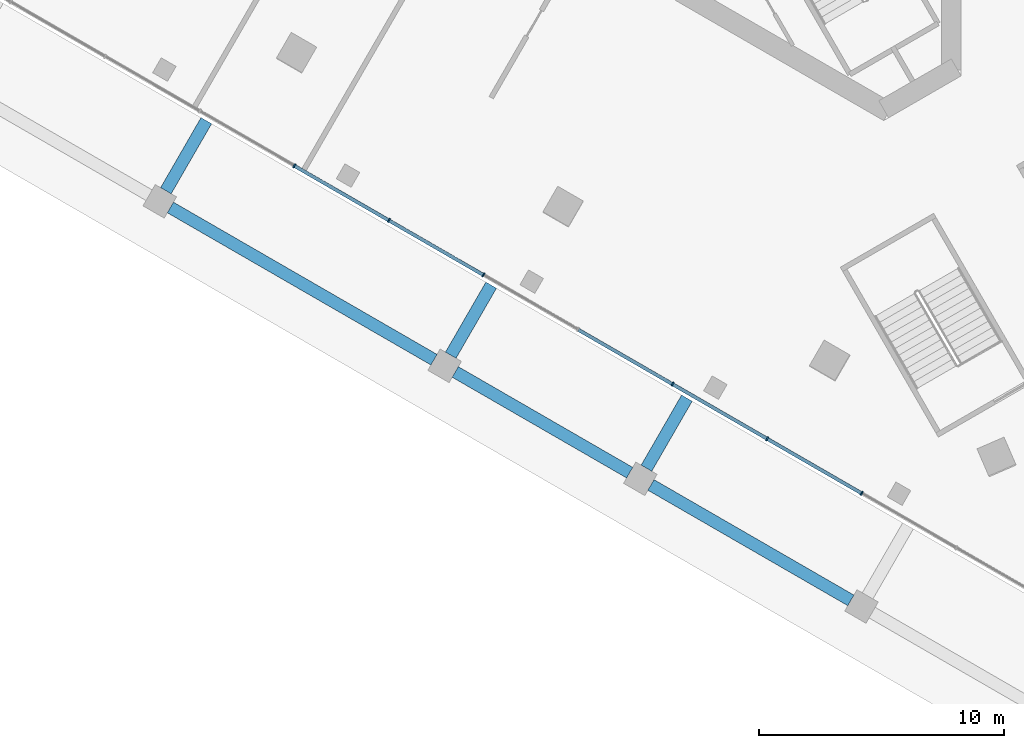
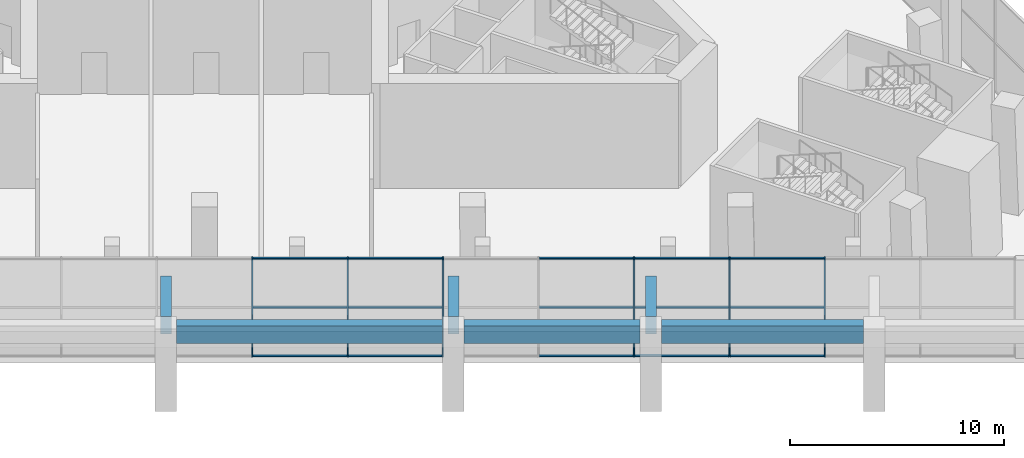
# One storey, part 4 of 51: 21 members, 6 beams, 1 element without a shape of its own.
"""IFC4 building model written with IfcOpenShell, lengths in metres."""

import ifcopenshell
import ifcopenshell.guid

model = None  # the IFC model being written
_history = None  # IfcOwnerHistory: only IFC2X3 demands one
_inside = {}  # id of a spatial element -> (the spatial element, [elements in it])
_under = {}  # id of a project, library or spatial element -> (it, [spatial elements below it])
_declared = {}  # id of a project -> (the project, [libraries it declares])
_typed = {}  # id of a type object -> (the type object, [elements of that type])
_made_of = {}  # id of a material, layer set ... -> (it, [elements and type objects made of it])


def new_model(schema):
    """Start an empty IFC model of exactly this schema.

    Asked for "IFC4X3", IfcOpenShell would pick the latest addendum, in which some entities
    have other attributes; the version numbers below select the first issue.
    IFC2X3 requires an IfcOwnerHistory on every rooted entity: one is made here for all.
    """
    global model, _history
    if schema == "IFC4X3":
        model = ifcopenshell.file(schema_version=(4, 3, 0, 0))
    else:
        model = ifcopenshell.file(schema=schema)
    _inside.clear()
    _under.clear()
    _declared.clear()
    _typed.clear()
    _made_of.clear()
    _history = None
    if model.schema == "IFC2X3":
        org = make("IfcOrganization", Name="unknown")
        user = make(
            "IfcPersonAndOrganization",
            ThePerson=make("IfcPerson", FamilyName="unknown"),
            TheOrganization=org,
        )
        app = make(
            "IfcApplication",
            ApplicationDeveloper=org,
            Version="unknown",
            ApplicationFullName="unknown",
            ApplicationIdentifier="unknown",
        )
        _history = make(
            "IfcOwnerHistory",
            OwningUser=user,
            OwningApplication=app,
            ChangeAction="ADDED",
            CreationDate=0,
        )
    return model


def make(cls, **values):
    """One entity of the class cls with the attributes given. An attribute that is None is left unset."""
    return model.create_entity(
        cls, **{name: value for name, value in values.items() if value is not None}
    )


def rooted(cls, **values):
    """An entity with a GlobalId (a new one), such as an element, a storey or a relation."""
    return make(cls, GlobalId=ifcopenshell.guid.new(), OwnerHistory=_history, **values)


def si_unit(unit_type, name, prefix=None):
    """IfcSIUnit, for example si_unit("LENGTHUNIT", "METRE", prefix="MILLI")."""
    return make("IfcSIUnit", UnitType=unit_type, Prefix=prefix, Name=name)


def assignment(units):
    """IfcUnitAssignment: the units of a project."""
    return None if units is None else make("IfcUnitAssignment", Units=units)


def point(xyz):
    """IfcCartesianPoint."""
    return None if xyz is None else make("IfcCartesianPoint", Coordinates=xyz)


def direction(xyz):
    """IfcDirection."""
    return None if xyz is None else make("IfcDirection", DirectionRatios=xyz)


def frame(location, z_axis=None, x_axis=None):
    """IfcAxis2Placement3D, a coordinate frame: its origin and axes. An axis left out is left unset."""
    return make(
        "IfcAxis2Placement3D",
        Location=point(location),
        Axis=direction(z_axis),
        RefDirection=direction(x_axis),
    )


def frame_2d(location, x_axis=None):
    """IfcAxis2Placement2D, a coordinate frame in the plane: its origin and x axis."""
    return make(
        "IfcAxis2Placement2D", Location=point(location), RefDirection=direction(x_axis)
    )


def origin():
    """The frame at (0, 0, 0) with its axes left unset."""
    return frame((0.0, 0.0, 0.0))


def origin_2d():
    """The frame at (0, 0) in the plane with its x axis left unset."""
    return frame_2d((0.0, 0.0))


def place(relative_to, where):
    """IfcLocalPlacement: puts the frame where relative to a parent placement (None: the world)."""
    return make(
        "IfcLocalPlacement", PlacementRelTo=relative_to, RelativePlacement=where
    )


def context(
    kind, dimensions, precision=None, world=None, true_north=None, identifier=None
):
    """IfcGeometricRepresentationContext, for example the 3D "Model" context."""
    return make(
        "IfcGeometricRepresentationContext",
        ContextIdentifier=identifier,
        ContextType=kind,
        CoordinateSpaceDimension=dimensions,
        Precision=precision,
        WorldCoordinateSystem=world,
        TrueNorth=true_north,
    )


def subcontext(parent, identifier, kind, view, scale=None):
    """IfcGeometricRepresentationSubContext, for example "Body" below "Model"."""
    return make(
        "IfcGeometricRepresentationSubContext",
        ContextIdentifier=identifier,
        ContextType=kind,
        ParentContext=parent,
        TargetScale=scale,
        TargetView=view,
    )


def project(units=None, contexts=None):
    """IfcProject with its units and contexts."""
    return rooted(
        "IfcProject",
        Name="project",
        RepresentationContexts=contexts,
        UnitsInContext=assignment(units),
    )


def spatial(cls, under=None, at=None, **own):
    """A site, building, storey or space (cls), placed at a placement, below another one or the project."""
    s = rooted(cls, ObjectPlacement=at, **own)
    if under is not None:
        _under.setdefault(under.id(), (under, []))[1].append(s)
    return s


def profile(cls, at=None, kind="AREA", **sizes):
    """A parametric profile (cls). Its sizes go by their IFC names, for example OverallWidth=200.0."""
    return make(cls, ProfileType=kind, Position=at, **sizes)


def rectangle(**sizes):
    """IfcRectangleProfileDef."""
    return profile("IfcRectangleProfileDef", **sizes)


def extrude(swept, where, along, depth):
    """IfcExtrudedAreaSolid: the profile swept, set in the frame where, extruded along a direction by depth."""
    return make(
        "IfcExtrudedAreaSolid",
        SweptArea=swept,
        Position=where,
        ExtrudedDirection=direction(along),
        Depth=depth,
    )


def shape(context_of_items, identifier, shape_type, items):
    """IfcShapeRepresentation: the items that make up one representation, for example the "Body"."""
    return make(
        "IfcShapeRepresentation",
        ContextOfItems=context_of_items,
        RepresentationIdentifier=identifier,
        RepresentationType=shape_type,
        Items=items,
    )


def material(Name=None, Category=None):
    """IfcMaterial."""
    return make("IfcMaterial", Name=Name, Category=Category)


def layer(
    of_material, thickness, ventilated=None, Name=None, Category=None, Priority=None
):
    """IfcMaterialLayer: one layer of a wall or slab, of a material (None: an air gap)."""
    return make(
        "IfcMaterialLayer",
        Material=of_material,
        LayerThickness=thickness,
        IsVentilated=ventilated,
        Name=Name,
        Category=Category,
        Priority=Priority,
    )


def layer_set(layers, Name=None):
    """IfcMaterialLayerSet."""
    return make("IfcMaterialLayerSet", MaterialLayers=layers, LayerSetName=Name)


def material_profile(
    of_material, cross_section, Name=None, Category=None, Priority=None
):
    """IfcMaterialProfile: a cross section and its material."""
    return make(
        "IfcMaterialProfile",
        Name=Name,
        Material=of_material,
        Profile=cross_section,
        Priority=Priority,
        Category=Category,
    )


def profile_set(profiles, Name=None, composite=None):
    """IfcMaterialProfileSet."""
    return make(
        "IfcMaterialProfileSet",
        Name=Name,
        MaterialProfiles=profiles,
        CompositeProfile=composite,
    )


def made_of(thing, what):
    """Note that an element or type object is made of a material, layer set ...; save() writes the relation."""
    if what is not None:
        _made_of.setdefault(what.id(), (what, []))[1].append(thing)
    return thing


def type_object(cls, material=None, **own):
    """A type object (cls), such as IfcWallType, which elements share."""
    return made_of(rooted(cls, **own), material)


def element(
    cls,
    number,
    at=None,
    inside=None,
    cuts=None,
    type_object=None,
    material=None,
    context=None,
    identifier="Body",
    shape_type=None,
    held_by="IfcProductDefinitionShape",
    body=None,
    shapes=None,
    **own,
):
    """One element of the class cls, such as IfcWall. Its Tag is "e" and its number.

    at: its placement. inside: the storey or other place that contains it. cuts: it is an
    opening in that element (IfcRelVoidsElement). A single representation is given by context,
    identifier, shape_type and body (its items); several are given by shapes. held_by: the class
    of the entity that holds the representations. save() writes the other relations.
    """
    e = rooted(cls, Tag="e%d" % number, ObjectPlacement=at, **own)
    if body is not None:
        shapes = [shape(context, identifier, shape_type, body)]
    if shapes is not None:
        e.Representation = make(held_by, Representations=shapes)
    if inside is not None:
        _inside.setdefault(inside.id(), (inside, []))[1].append(e)
    if cuts is not None:
        rooted(
            "IfcRelVoidsElement", RelatingBuildingElement=cuts, RelatedOpeningElement=e
        )
    if type_object is not None:
        _typed.setdefault(type_object.id(), (type_object, []))[1].append(e)
    return made_of(e, material)


def aggregate(whole, parts):
    """IfcRelAggregates: a whole, such as a stair, and the parts it consists of."""
    return rooted("IfcRelAggregates", RelatingObject=whole, RelatedObjects=parts)


def save(model, path):
    """Write the relations noted so far, then the file.

    IfcRelAggregates (storeys below a building ...), IfcRelContainedInSpatialStructure (elements
    in a storey), IfcRelDefinesByType, IfcRelAssociatesMaterial and IfcRelDeclares: one each for
    every whole, place, type object, material and project.
    """
    for whole, parts in _under.values():
        aggregate(whole, parts)
    for where, things in _inside.values():
        rooted(
            "IfcRelContainedInSpatialStructure",
            RelatedElements=things,
            RelatingStructure=where,
        )
    for kind, things in _typed.values():
        rooted("IfcRelDefinesByType", RelatedObjects=things, RelatingType=kind)
    for what, things in _made_of.values():
        rooted("IfcRelAssociatesMaterial", RelatedObjects=things, RelatingMaterial=what)
    for by, libraries in _declared.values():
        rooted("IfcRelDeclares", RelatingContext=by, RelatedDefinitions=libraries)
    model.write(path)


model = new_model("IFC4")

# Units and contexts
model_context = context("Model", 3, precision=1e-05, world=origin(), true_north=direction((0.0, 1.0)))
body_context = subcontext(model_context, "Body", "Model", "MODEL_VIEW")
ifc_project = project(units=[si_unit("LENGTHUNIT", "METRE"), si_unit("AREAUNIT", "SQUARE_METRE"), si_unit("VOLUMEUNIT", "CUBIC_METRE"), si_unit("PLANEANGLEUNIT", "RADIAN"), si_unit("MASSUNIT", "GRAM", prefix="KILO")], contexts=[model_context])

# Site, building, storey
site_placement = place(None, origin())
site = spatial("IfcSite", under=ifc_project, at=site_placement, CompositionType="ELEMENT")
building_placement = place(site_placement, origin())
building = spatial("IfcBuilding", under=site, at=building_placement, Name="Jabali Bay Hotel Tower and Convention Centre", CompositionType="ELEMENT")
storey_placement = place(building_placement, frame((0.0, 0.0, 9.0)))
storey = spatial("IfcBuildingStorey", under=building, at=storey_placement, Name="L01", CompositionType="ELEMENT", Elevation=9.0)

# Beams
ifc_material_1 = material(Name="Concrete C40", Category="concrete")
ifc_material_profile_1 = material_profile(ifc_material_1, rectangle(XDim=0.5, YDim=1.0, at=origin_2d()), Name="RC 500x1000")
ifc_profile_set_1 = profile_set([ifc_material_profile_1], Name="Concrete C40")
beam_type = type_object("IfcBeamType", Name="Arcade Edge Beam 500x1000", PredefinedType="BEAM", material=ifc_profile_set_1)
beam_1_placement = place(storey_placement, frame((57.624267578125, 52.504150390625, 4.199951171875), z_axis=(0.866027781969, -0.499995880841, 0.0), x_axis=(0.499995880841, 0.866027781969, 0.0)))
element("IfcBeam", 1, at=beam_1_placement, inside=storey, type_object=beam_type, Name="Arcade edge beam 17", PredefinedType="BEAM", context=body_context, shape_type="SweptSolid", body=[
    extrude(rectangle(XDim=0.5, YDim=1.0, at=origin_2d()), origin(), (0.0, 0.0, 1.0), 12.41796875),
])
beam_2_placement = place(storey_placement, frame((69.24462890625, 45.795166015625, 4.199951171875), z_axis=(0.866024310987, -0.500001892776, 0.0), x_axis=(0.500001892776, 0.866024310987, 0.0)))
element("IfcBeam", 2, at=beam_2_placement, inside=storey, type_object=beam_type, Name="Arcade edge beam 18", PredefinedType="BEAM", context=body_context, shape_type="SweptSolid", body=[
    extrude(rectangle(XDim=0.5, YDim=1.0, at=origin_2d()), origin(), (0.0, 0.0, 1.0), 8.21826171875),
])
beam_3_placement = place(storey_placement, frame((77.227783203125, 41.18603515625, 4.199951171875), z_axis=(0.866021981908, -0.500005926817, 0.0), x_axis=(0.500005926817, 0.866021981908, 0.0)))
element("IfcBeam", 3, at=beam_3_placement, inside=storey, type_object=beam_type, Name="Arcade edge beam 19", PredefinedType="BEAM", context=body_context, shape_type="SweptSolid", body=[
    extrude(rectangle(XDim=0.5, YDim=1.0, at=origin_2d()), origin(), (0.0, 0.0, 1.0), 9.41845703125),
])
for number, where, z_axis, x_axis, name in (
    (4, (57.441162109375, 53.187255859375, 4.199951171875), (0.499974350878, 0.866040211805, 0.0), (-0.866040211805, 0.499974350878, 0.0), "Arcade cross beam 13"),
    (5, (69.061767578125, 46.47802734375, 4.199951171875), (0.499974350878, 0.866040211805, 0.0), (-0.866040211805, 0.499974350878, 0.0), "Arcade cross beam 14"),
    (6, (77.044921875, 41.868896484375, 4.199951171875), (0.499974350878, 0.866040211805, 0.0), (-0.866040211805, 0.499974350878, 0.0), "Arcade cross beam 15"),
):
    element("IfcBeam", number, at=place(storey_placement, frame(where, z_axis=z_axis, x_axis=x_axis)), inside=storey, type_object=beam_type, Name=name, PredefinedType="BEAM", context=body_context, shape_type="SweptSolid", body=[
        extrude(rectangle(XDim=0.5, YDim=1.0, at=origin_2d()), origin(), (0.0, 0.0, 1.0), 3.300048828125),
    ])

# Curtain wall, members
ifc_material_2 = material(Name="Aluminium and glass", Category="aluminium")
ifc_layer = layer(ifc_material_2, 0.179931640625)
ifc_layer_set = layer_set([ifc_layer], Name="Aluminium and glass")
curtain_wall_type = type_object("IfcCurtainWallType", Name="CW1 curtain wall", PredefinedType="NOTDEFINED", material=ifc_layer_set)
curtain_wall_placement = place(storey_placement, origin())
curtain_wall = element("IfcCurtainWall", 7, at=curtain_wall_placement, inside=storey, type_object=curtain_wall_type, Name="CW1 curtain wall south-west face L01", PredefinedType="NOTDEFINED")
ifc_material_3 = material(Name="Aluminium", Category="aluminium")
ifc_material_profile_2 = material_profile(ifc_material_3, rectangle(XDim=0.179931640625, YDim=0.06005859375, at=origin_2d()), Name="CW1 mullion 60 x 180")
ifc_profile_set_2 = profile_set([ifc_material_profile_2], Name="Aluminium")
member_type_1 = type_object("IfcMemberType", Name="CW1 mullion 60 x 180", PredefinedType="MULLION", material=ifc_profile_set_2)
member_1_placement = place(storey_placement, frame((85.8251953125, 40.841064453125, 0.0), z_axis=(0.0, 0.0, 1.0), x_axis=(-0.499999999441, -0.866025404107, 0.0)))
member_1 = element("IfcMember", 8, at=member_1_placement, type_object=member_type_1, Name="CW1 mullion 3", PredefinedType="MULLION", context=body_context, shape_type="SweptSolid", body=[
    extrude(rectangle(XDim=0.179931640625, YDim=0.06005859375, at=origin_2d()), origin(), (0.0, 0.0, 1.0), 5.60009765625),
])
member_2_placement = place(storey_placement, frame((81.967529296875, 43.068359375, 0.0), z_axis=(0.0, 0.0, 1.0), x_axis=(-0.499999999441, -0.866025404107, 0.0)))
member_2 = element("IfcMember", 9, at=member_2_placement, type_object=member_type_1, Name="CW1 mullion 4", PredefinedType="MULLION", context=body_context, shape_type="SweptSolid", body=[
    extrude(rectangle(XDim=0.179931640625, YDim=0.06005859375, at=origin_2d()), origin(), (0.0, 0.0, 1.0), 5.60009765625),
])
member_3_placement = place(storey_placement, frame((78.10986328125, 45.295654296875, 0.0), z_axis=(0.0, 0.0, 1.0), x_axis=(-0.499999999441, -0.866025404107, 0.0)))
member_3 = element("IfcMember", 10, at=member_3_placement, type_object=member_type_1, Name="CW1 mullion 5", PredefinedType="MULLION", context=body_context, shape_type="SweptSolid", body=[
    extrude(rectangle(XDim=0.179931640625, YDim=0.06005859375, at=origin_2d()), origin(), (0.0, 0.0, 1.0), 5.60009765625),
])
member_4_placement = place(storey_placement, frame((70.394287109375, 49.75, 0.0), z_axis=(0.0, 0.0, 1.0), x_axis=(-0.499999999441, -0.866025404107, 0.0)))
member_4 = element("IfcMember", 11, at=member_4_placement, type_object=member_type_1, Name="CW1 mullion 7", PredefinedType="MULLION", context=body_context, shape_type="SweptSolid", body=[
    extrude(rectangle(XDim=0.179931640625, YDim=0.06005859375, at=origin_2d()), origin(), (0.0, 0.0, 1.0), 5.60009765625),
])
member_5_placement = place(storey_placement, frame((66.53662109375, 51.977294921875, 0.0), z_axis=(0.0, 0.0, 1.0), x_axis=(-0.499999999441, -0.866025404107, 0.0)))
member_5 = element("IfcMember", 12, at=member_5_placement, type_object=member_type_1, Name="CW1 mullion 8", PredefinedType="MULLION", context=body_context, shape_type="SweptSolid", body=[
    extrude(rectangle(XDim=0.179931640625, YDim=0.06005859375, at=origin_2d()), origin(), (0.0, 0.0, 1.0), 5.60009765625),
])
member_6_placement = place(storey_placement, frame((62.678955078125, 54.20458984375, 0.0), z_axis=(0.0, 0.0, 1.0), x_axis=(-0.499999999441, -0.866025404107, 0.0)))
member_6 = element("IfcMember", 13, at=member_6_placement, type_object=member_type_1, Name="CW1 mullion 9", PredefinedType="MULLION", context=body_context, shape_type="SweptSolid", body=[
    extrude(rectangle(XDim=0.179931640625, YDim=0.06005859375, at=origin_2d()), origin(), (0.0, 0.0, 1.0), 5.60009765625),
])
ifc_material_profile_3 = material_profile(ifc_material_3, rectangle(XDim=0.139892578125, YDim=0.06005859375, at=origin_2d()), Name="CW1 transom 60 x 140")
ifc_profile_set_3 = profile_set([ifc_material_profile_3], Name="Aluminium")
member_type_2 = type_object("IfcMemberType", Name="CW1 transom 60 x 140", PredefinedType="USERDEFINED", material=ifc_profile_set_3)
member_7_placement = place(storey_placement, frame((85.79931640625, 40.85595703125, 0.030029296875), z_axis=(-0.866032941432, 0.499986944184, 0.0), x_axis=(-0.499986944184, -0.866032941432, 0.0)))
member_7 = element("IfcMember", 14, at=member_7_placement, type_object=member_type_2, Name="CW1 transom 3.1", ObjectType="TRANSOM", PredefinedType="USERDEFINED", context=body_context, shape_type="SweptSolid", body=[
    extrude(rectangle(XDim=0.139892578125, YDim=0.06005859375, at=origin_2d()), origin(), (0.0, 0.0, 1.0), 4.39453125),
])
member_8_placement = place(storey_placement, frame((85.79931640625, 40.85595703125, 2.800048828125), z_axis=(-0.866032941432, 0.499986944184, 0.0), x_axis=(-0.499986944184, -0.866032941432, 0.0)))
member_8 = element("IfcMember", 15, at=member_8_placement, type_object=member_type_2, Name="CW1 transom 3.2", ObjectType="TRANSOM", PredefinedType="USERDEFINED", context=body_context, shape_type="SweptSolid", body=[
    extrude(rectangle(XDim=0.139892578125, YDim=0.06005859375, at=origin_2d()), origin(), (0.0, 0.0, 1.0), 4.39453125),
])
member_9_placement = place(storey_placement, frame((85.79931640625, 40.85595703125, 5.570068359375), z_axis=(-0.866032941432, 0.499986944184, 0.0), x_axis=(-0.499986944184, -0.866032941432, 0.0)))
member_9 = element("IfcMember", 16, at=member_9_placement, type_object=member_type_2, Name="CW1 transom 3.3", ObjectType="TRANSOM", PredefinedType="USERDEFINED", context=body_context, shape_type="SweptSolid", body=[
    extrude(rectangle(XDim=0.139892578125, YDim=0.06005859375, at=origin_2d()), origin(), (0.0, 0.0, 1.0), 4.39453125),
])
member_10_placement = place(storey_placement, frame((81.941650390625, 43.083251953125, 0.030029296875), z_axis=(-0.866032941432, 0.499986944184, 0.0), x_axis=(-0.499986944184, -0.866032941432, 0.0)))
member_10 = element("IfcMember", 17, at=member_10_placement, type_object=member_type_2, Name="CW1 transom 4.1", ObjectType="TRANSOM", PredefinedType="USERDEFINED", context=body_context, shape_type="SweptSolid", body=[
    extrude(rectangle(XDim=0.139892578125, YDim=0.06005859375, at=origin_2d()), origin(), (0.0, 0.0, 1.0), 4.39453125),
])
member_11_placement = place(storey_placement, frame((81.941650390625, 43.083251953125, 2.800048828125), z_axis=(-0.866032941432, 0.499986944184, 0.0), x_axis=(-0.499986944184, -0.866032941432, 0.0)))
member_11 = element("IfcMember", 18, at=member_11_placement, type_object=member_type_2, Name="CW1 transom 4.2", ObjectType="TRANSOM", PredefinedType="USERDEFINED", context=body_context, shape_type="SweptSolid", body=[
    extrude(rectangle(XDim=0.139892578125, YDim=0.06005859375, at=origin_2d()), origin(), (0.0, 0.0, 1.0), 4.39453125),
])
member_12_placement = place(storey_placement, frame((81.941650390625, 43.083251953125, 5.570068359375), z_axis=(-0.866032941432, 0.499986944184, 0.0), x_axis=(-0.499986944184, -0.866032941432, 0.0)))
member_12 = element("IfcMember", 19, at=member_12_placement, type_object=member_type_2, Name="CW1 transom 4.3", ObjectType="TRANSOM", PredefinedType="USERDEFINED", context=body_context, shape_type="SweptSolid", body=[
    extrude(rectangle(XDim=0.139892578125, YDim=0.06005859375, at=origin_2d()), origin(), (0.0, 0.0, 1.0), 4.39453125),
])
member_13_placement = place(storey_placement, frame((78.083740234375, 45.310546875, 0.030029296875), z_axis=(-0.866019052629, 0.500011000363, 0.0), x_axis=(-0.500011000363, -0.866019052629, 0.0)))
member_13 = element("IfcMember", 20, at=member_13_placement, type_object=member_type_2, Name="CW1 transom 5.1", ObjectType="TRANSOM", PredefinedType="USERDEFINED", context=body_context, shape_type="SweptSolid", body=[
    extrude(rectangle(XDim=0.139892578125, YDim=0.06005859375, at=origin_2d()), origin(), (0.0, 0.0, 1.0), 4.39453125),
])
member_14_placement = place(storey_placement, frame((78.083740234375, 45.310546875, 2.800048828125), z_axis=(-0.866019052629, 0.500011000363, 0.0), x_axis=(-0.500011000363, -0.866019052629, 0.0)))
member_14 = element("IfcMember", 21, at=member_14_placement, type_object=member_type_2, Name="CW1 transom 5.2", ObjectType="TRANSOM", PredefinedType="USERDEFINED", context=body_context, shape_type="SweptSolid", body=[
    extrude(rectangle(XDim=0.139892578125, YDim=0.06005859375, at=origin_2d()), origin(), (0.0, 0.0, 1.0), 4.39453125),
])
member_15_placement = place(storey_placement, frame((78.083740234375, 45.310546875, 5.570068359375), z_axis=(-0.866019052629, 0.500011000363, 0.0), x_axis=(-0.500011000363, -0.866019052629, 0.0)))
member_15 = element("IfcMember", 22, at=member_15_placement, type_object=member_type_2, Name="CW1 transom 5.3", ObjectType="TRANSOM", PredefinedType="USERDEFINED", context=body_context, shape_type="SweptSolid", body=[
    extrude(rectangle(XDim=0.139892578125, YDim=0.06005859375, at=origin_2d()), origin(), (0.0, 0.0, 1.0), 4.39453125),
])
member_16_placement = place(storey_placement, frame((70.368408203125, 49.76513671875, 0.030029296875), z_axis=(-0.866032941432, 0.499986944184, 0.0), x_axis=(-0.499986944184, -0.866032941432, 0.0)))
member_16 = element("IfcMember", 23, at=member_16_placement, type_object=member_type_2, Name="CW1 transom 7.1", ObjectType="TRANSOM", PredefinedType="USERDEFINED", context=body_context, shape_type="SweptSolid", body=[
    extrude(rectangle(XDim=0.139892578125, YDim=0.06005859375, at=origin_2d()), origin(), (0.0, 0.0, 1.0), 4.39453125),
])
member_17_placement = place(storey_placement, frame((70.368408203125, 49.76513671875, 2.800048828125), z_axis=(-0.866032941432, 0.499986944184, 0.0), x_axis=(-0.499986944184, -0.866032941432, 0.0)))
member_17 = element("IfcMember", 24, at=member_17_placement, type_object=member_type_2, Name="CW1 transom 7.2", ObjectType="TRANSOM", PredefinedType="USERDEFINED", context=body_context, shape_type="SweptSolid", body=[
    extrude(rectangle(XDim=0.139892578125, YDim=0.06005859375, at=origin_2d()), origin(), (0.0, 0.0, 1.0), 4.39453125),
])
member_18_placement = place(storey_placement, frame((70.368408203125, 49.76513671875, 5.570068359375), z_axis=(-0.866032941432, 0.499986944184, 0.0), x_axis=(-0.499986944184, -0.866032941432, 0.0)))
member_18 = element("IfcMember", 25, at=member_18_placement, type_object=member_type_2, Name="CW1 transom 7.3", ObjectType="TRANSOM", PredefinedType="USERDEFINED", context=body_context, shape_type="SweptSolid", body=[
    extrude(rectangle(XDim=0.139892578125, YDim=0.06005859375, at=origin_2d()), origin(), (0.0, 0.0, 1.0), 4.39453125),
])
member_19_placement = place(storey_placement, frame((66.510498046875, 51.992431640625, 0.030029296875), z_axis=(-0.866019052629, 0.500011000363, 0.0), x_axis=(-0.500011000363, -0.866019052629, 0.0)))
member_19 = element("IfcMember", 26, at=member_19_placement, type_object=member_type_2, Name="CW1 transom 8.1", ObjectType="TRANSOM", PredefinedType="USERDEFINED", context=body_context, shape_type="SweptSolid", body=[
    extrude(rectangle(XDim=0.139892578125, YDim=0.06005859375, at=origin_2d()), origin(), (0.0, 0.0, 1.0), 4.39453125),
])
member_20_placement = place(storey_placement, frame((66.510498046875, 51.992431640625, 2.800048828125), z_axis=(-0.866019052629, 0.500011000363, 0.0), x_axis=(-0.500011000363, -0.866019052629, 0.0)))
member_20 = element("IfcMember", 27, at=member_20_placement, type_object=member_type_2, Name="CW1 transom 8.2", ObjectType="TRANSOM", PredefinedType="USERDEFINED", context=body_context, shape_type="SweptSolid", body=[
    extrude(rectangle(XDim=0.139892578125, YDim=0.06005859375, at=origin_2d()), origin(), (0.0, 0.0, 1.0), 4.39453125),
])
member_21_placement = place(storey_placement, frame((66.510498046875, 51.992431640625, 5.570068359375), z_axis=(-0.866019052629, 0.500011000363, 0.0), x_axis=(-0.500011000363, -0.866019052629, 0.0)))
member_21 = element("IfcMember", 28, at=member_21_placement, type_object=member_type_2, Name="CW1 transom 8.3", ObjectType="TRANSOM", PredefinedType="USERDEFINED", context=body_context, shape_type="SweptSolid", body=[
    extrude(rectangle(XDim=0.139892578125, YDim=0.06005859375, at=origin_2d()), origin(), (0.0, 0.0, 1.0), 4.39453125),
])
aggregate(curtain_wall, [member_1, member_2, member_3, member_4, member_5, member_6, member_7, member_8, member_9, member_10, member_11, member_12, member_13, member_14, member_15, member_16, member_17, member_18, member_19, member_20, member_21])

save(model, "model.ifc")
